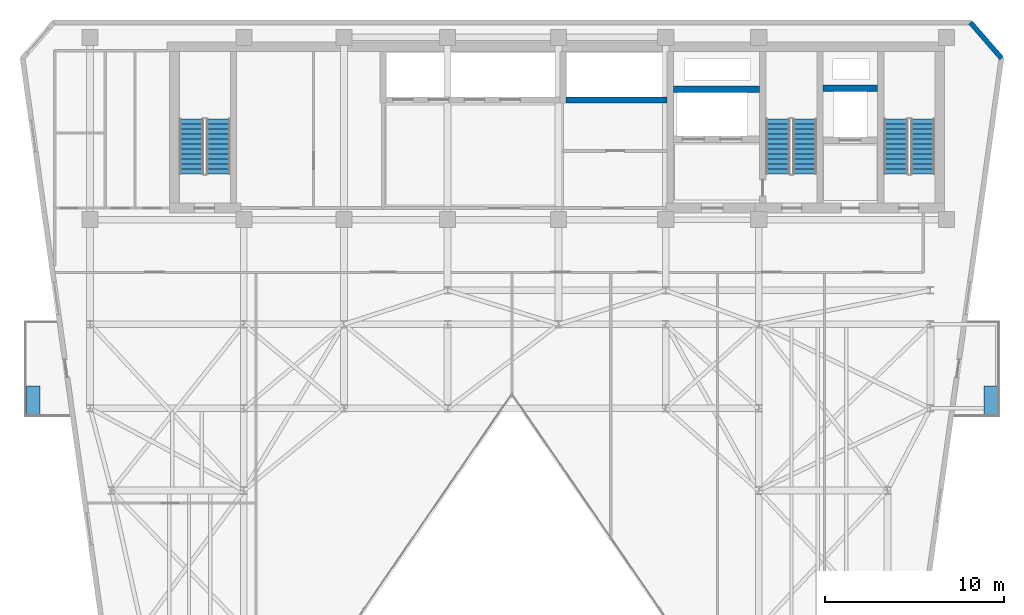
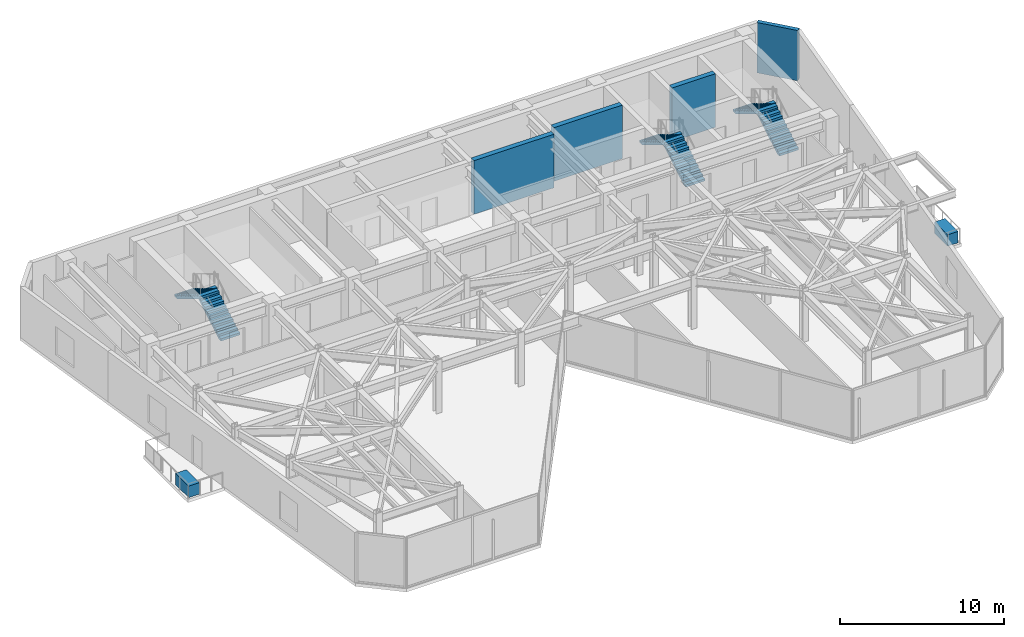
# One storey, part 18 of 21: 6 stair flights, 4 walls, 2 discrete accessories, 3 elements without a shape of their own.
"""IFC4 building model written with IfcOpenShell, lengths in metres."""

from ifc_helpers import new_model, si_unit, direction, frame, frame_2d, origin, origin_2d, place, context, subcontext, project, spatial, polyline, rectangle, outline, extrude, material, layer, layer_set, type_object, element, aggregate, save


model = new_model("IFC4")

# Units and contexts
model_context = context("Model", 3, precision=1e-05, world=origin(), true_north=direction((0.0, 1.0)))
body_context = subcontext(model_context, "Body", "Model", "MODEL_VIEW")
ifc_project = project(units=[si_unit("LENGTHUNIT", "METRE"), si_unit("AREAUNIT", "SQUARE_METRE"), si_unit("VOLUMEUNIT", "CUBIC_METRE"), si_unit("PLANEANGLEUNIT", "RADIAN"), si_unit("MASSUNIT", "GRAM", prefix="KILO")], contexts=[model_context])

# Site, building, storey
site_placement = place(None, origin())
site = spatial("IfcSite", under=ifc_project, at=site_placement, CompositionType="ELEMENT")
building_placement = place(site_placement, origin())
building = spatial("IfcBuilding", under=site, at=building_placement, Name="Kravanh Interchange Tower", CompositionType="ELEMENT")
storey_placement = place(building_placement, frame((0.0, 0.0, 176.5)))
storey = spatial("IfcBuildingStorey", under=building, at=storey_placement, Name="L42", CompositionType="ELEMENT", Elevation=176.5)

# Walls
ifc_material_1 = material(Name="Concrete C60/75", Category="concrete")
ifc_layer_1 = layer(ifc_material_1, 0.35009765625)
ifc_layer_set_1 = layer_set([ifc_layer_1], Name="Core Shear Wall Concrete C60/75 350mm")
wall_type_1 = type_object("IfcWallType", Name="Core Shear Wall Concrete C60/75 350mm", PredefinedType="SHEAR", material=ifc_layer_set_1)
wall_1_placement = place(storey_placement, frame((59.60009765625, 44.699951171875, 0.0), z_axis=(0.0, 0.0, 1.0), x_axis=(1.0, 0.0, 0.0)))
element("IfcWall", 1, at=wall_1_placement, inside=storey, type_object=wall_type_1, Name="L42 Service Lift Shaft North Wall", PredefinedType="SHEAR", context=body_context, shape_type="SweptSolid", body=[
    extrude(rectangle(XDim=3.0498046875, YDim=0.35009765625, at=frame_2d((1.52490234375, 0.0))), origin(), (0.0, 0.0, 1.0), 4.0),
])
wall_2_placement = place(storey_placement, frame((51.22509765625, 44.64990234375, 0.0), z_axis=(0.0, 0.0, 1.0), x_axis=(1.0, 0.0, 0.0)))
element("IfcWall", 2, at=wall_2_placement, inside=storey, type_object=wall_type_1, Name="L42 Fire Lift Shaft North Wall", PredefinedType="SHEAR", context=body_context, shape_type="SweptSolid", body=[
    extrude(rectangle(XDim=4.824951171875, YDim=0.35009765625, at=frame_2d((2.41259765625, 0.0))), origin(), (0.0, 0.0, 1.0), 4.0),
])
wall_3_placement = place(storey_placement, frame((45.22509765625, 44.050048828125, 0.0), z_axis=(0.0, 0.0, 1.0), x_axis=(1.0, 0.0, 0.0)))
element("IfcWall", 3, at=wall_3_placement, inside=storey, type_object=wall_type_1, Name="L42 High-Rise Lift Shaft South Wall", PredefinedType="SHEAR", context=body_context, shape_type="SweptSolid", body=[
    extrude(rectangle(XDim=5.64990234375, YDim=0.35009765625, at=frame_2d((2.824951171875, 0.0))), origin(), (0.0, 0.0, 1.0), 4.0),
])
ifc_material_2 = material(Name="Insulated Precast Concrete C40/50 with Bronze Cladding", Category="concrete")
ifc_layer_2 = layer(ifc_material_2, 0.280029296875)
ifc_layer_set_2 = layer_set([ifc_layer_2], Name="Exterior Insulated Concrete C40/50 Bronze Spandrel Wall 280mm")
wall_type_2 = type_object("IfcWallType", Name="Exterior Insulated Concrete C40/50 Bronze Spandrel Wall 280mm", PredefinedType="STANDARD", material=ifc_layer_set_2)
wall_4_placement = place(storey_placement, frame((67.84521484375, 48.3798828125, 0.0), z_axis=(0.0, 0.0, 1.0), x_axis=(0.656071351282, -0.754698868442, 0.0)))
element("IfcWall", 4, at=wall_4_placement, inside=storey, type_object=wall_type_2, Name="L42 Exterior Wall 5", PredefinedType="STANDARD", context=body_context, shape_type="SweptSolid", body=[
    extrude(rectangle(XDim=2.646240234375, YDim=0.280029296875, at=frame_2d((1.3232421875, 0.0))), origin(), (0.0, 0.0, 1.0), 3.7548828125),
])

# Stair, stair flights
ifc_material_3 = material(Name="Concrete C50/60", Category="concrete")
stair_type = type_object("IfcStairType", Name="Core Fire Exit Dogleg Stair Concrete C50/60", PredefinedType="HALF_TURN_STAIR", material=ifc_material_3)
stair_1_placement = place(storey_placement, origin())
stair_1 = element("IfcStair", 5, at=stair_1_placement, inside=storey, type_object=stair_type, Name="L42 Exit Stair ST1", PredefinedType="HALF_TURN_STAIR")
ifc_material_4 = material(Name="Precast Concrete C50/60", Category="concrete")
ifc_layer_3 = layer(ifc_material_4, 0.199951171875)
ifc_layer_set_3 = layer_set([ifc_layer_3], Name="Precast Concrete C50/60 Stair Flight 1350mm")
stair_flight_type = type_object("IfcStairFlightType", Name="Precast Concrete C50/60 Stair Flight 1350mm", PredefinedType="STRAIGHT", material=ifc_layer_set_3)
stair_flight_1_placement = place(storey_placement, frame((65.175048828125, 39.89990234375, 0.0), z_axis=(0.0, 0.0, 1.0), x_axis=(0.0, 1.0, 0.0)))
stair_flight_1 = element("IfcStairFlight", 6, at=stair_flight_1_placement, type_object=stair_flight_type, Name="ST1 flight 1", NumberOfRisers=12, NumberOfTreads=11, PredefinedType="STRAIGHT", RiserHeight=0.166666667, TreadLength=0.28, context=body_context, shape_type="SweptSolid", body=[
    extrude(outline(polyline([(0.0, 0.0), (0.0, 0.166748046875), (0.280029296875, 0.166748046875), (0.280029296875, 0.333251953125), (0.56005859375, 0.333251953125), (0.56005859375, 0.5), (0.840087890625, 0.5), (0.840087890625, 0.666748046875), (1.1201171875, 0.666748046875), (1.1201171875, 0.833251953125), (1.39990234375, 0.833251953125), (1.39990234375, 1.0), (1.679931640625, 1.0), (1.679931640625, 1.166748046875), (1.9599609375, 1.166748046875), (1.9599609375, 1.333251953125), (2.239990234375, 1.333251953125), (2.239990234375, 1.5), (2.52001953125, 1.5), (2.52001953125, 1.666748046875), (2.800048828125, 1.666748046875), (2.800048828125, 1.833251953125), (3.080078125, 1.833251953125), (3.080078125, 2.0), (3.080078125, 1.658935546875), (0.29296875, 0.0), (0.0, 0.0)])), frame((0.0, 0.675048828125, 0.0), z_axis=(0.0, -1.0, 0.0), x_axis=(1.0, 0.0, 0.0)), (0.0, 0.0, 1.0), 1.35009765625),
])
stair_flight_2_placement = place(storey_placement, frame((63.675048828125, 42.97998046875, 2.0), z_axis=(0.0, 0.0, 1.0), x_axis=(0.0, -1.0, 0.0)))
stair_flight_2 = element("IfcStairFlight", 7, at=stair_flight_2_placement, type_object=stair_flight_type, Name="ST1 flight 2", NumberOfRisers=12, NumberOfTreads=11, PredefinedType="STRAIGHT", RiserHeight=0.166666667, TreadLength=0.28, context=body_context, shape_type="SweptSolid", body=[
    extrude(outline(polyline([(0.0, 0.0), (0.0, 0.166748046875), (0.280029296875, 0.166748046875), (0.280029296875, 0.333251953125), (0.56005859375, 0.333251953125), (0.56005859375, 0.5), (0.840087890625, 0.5), (0.840087890625, 0.666748046875), (1.1201171875, 0.666748046875), (1.1201171875, 0.833251953125), (1.39990234375, 0.833251953125), (1.39990234375, 1.0), (1.679931640625, 1.0), (1.679931640625, 1.166748046875), (1.9599609375, 1.166748046875), (1.9599609375, 1.333251953125), (2.239990234375, 1.333251953125), (2.239990234375, 1.5), (2.52001953125, 1.5), (2.52001953125, 1.666748046875), (2.800048828125, 1.666748046875), (2.800048828125, 1.833251953125), (3.080078125, 1.833251953125), (3.080078125, 2.0), (3.080078125, 1.658935546875), (0.29296875, 0.0), (0.0, 0.0)])), frame((0.0, 0.675048828125, 0.0), z_axis=(0.0, -1.0, 0.0), x_axis=(1.0, 0.0, 0.0)), (0.0, 0.0, 1.0), 1.35009765625),
])
aggregate(stair_1, [stair_flight_1, stair_flight_2])

stair_2_placement = place(storey_placement, origin())
stair_2 = element("IfcStair", 8, at=stair_2_placement, inside=storey, type_object=stair_type, Name="L42 Exit Stair ST2", PredefinedType="HALF_TURN_STAIR")
stair_flight_3_placement = place(storey_placement, frame((58.574951171875, 39.89990234375, 0.0), z_axis=(0.0, 0.0, 1.0), x_axis=(0.0, 1.0, 0.0)))
stair_flight_3 = element("IfcStairFlight", 9, at=stair_flight_3_placement, type_object=stair_flight_type, Name="ST2 flight 1", NumberOfRisers=12, NumberOfTreads=11, PredefinedType="STRAIGHT", RiserHeight=0.166666667, TreadLength=0.28, context=body_context, shape_type="SweptSolid", body=[
    extrude(outline(polyline([(0.0, 0.0), (0.0, 0.166748046875), (0.280029296875, 0.166748046875), (0.280029296875, 0.333251953125), (0.56005859375, 0.333251953125), (0.56005859375, 0.5), (0.840087890625, 0.5), (0.840087890625, 0.666748046875), (1.1201171875, 0.666748046875), (1.1201171875, 0.833251953125), (1.39990234375, 0.833251953125), (1.39990234375, 1.0), (1.679931640625, 1.0), (1.679931640625, 1.166748046875), (1.9599609375, 1.166748046875), (1.9599609375, 1.333251953125), (2.239990234375, 1.333251953125), (2.239990234375, 1.5), (2.52001953125, 1.5), (2.52001953125, 1.666748046875), (2.800048828125, 1.666748046875), (2.800048828125, 1.833251953125), (3.080078125, 1.833251953125), (3.080078125, 2.0), (3.080078125, 1.658935546875), (0.29296875, 0.0), (0.0, 0.0)])), frame((0.0, 0.675048828125, 0.0), z_axis=(0.0, -1.0, 0.0), x_axis=(1.0, 0.0, 0.0)), (0.0, 0.0, 1.0), 1.35009765625),
])
stair_flight_4_placement = place(storey_placement, frame((57.074951171875, 42.97998046875, 2.0), z_axis=(0.0, 0.0, 1.0), x_axis=(0.0, -1.0, 0.0)))
stair_flight_4 = element("IfcStairFlight", 10, at=stair_flight_4_placement, type_object=stair_flight_type, Name="ST2 flight 2", NumberOfRisers=12, NumberOfTreads=11, PredefinedType="STRAIGHT", RiserHeight=0.166666667, TreadLength=0.28, context=body_context, shape_type="SweptSolid", body=[
    extrude(outline(polyline([(0.0, 0.0), (0.0, 0.166748046875), (0.280029296875, 0.166748046875), (0.280029296875, 0.333251953125), (0.56005859375, 0.333251953125), (0.56005859375, 0.5), (0.840087890625, 0.5), (0.840087890625, 0.666748046875), (1.1201171875, 0.666748046875), (1.1201171875, 0.833251953125), (1.39990234375, 0.833251953125), (1.39990234375, 1.0), (1.679931640625, 1.0), (1.679931640625, 1.166748046875), (1.9599609375, 1.166748046875), (1.9599609375, 1.333251953125), (2.239990234375, 1.333251953125), (2.239990234375, 1.5), (2.52001953125, 1.5), (2.52001953125, 1.666748046875), (2.800048828125, 1.666748046875), (2.800048828125, 1.833251953125), (3.080078125, 1.833251953125), (3.080078125, 2.0), (3.080078125, 1.658935546875), (0.29296875, 0.0), (0.0, 0.0)])), frame((0.0, 0.675048828125, 0.0), z_axis=(0.0, -1.0, 0.0), x_axis=(1.0, 0.0, 0.0)), (0.0, 0.0, 1.0), 1.35009765625),
])
aggregate(stair_2, [stair_flight_3, stair_flight_4])

stair_3_placement = place(storey_placement, origin())
stair_3 = element("IfcStair", 11, at=stair_3_placement, inside=storey, type_object=stair_type, Name="L42 Exit Stair ST3", PredefinedType="HALF_TURN_STAIR")
stair_flight_5_placement = place(storey_placement, frame((25.77490234375, 39.89990234375, 0.0), z_axis=(0.0, 0.0, 1.0), x_axis=(0.0, 1.0, 0.0)))
stair_flight_5 = element("IfcStairFlight", 12, at=stair_flight_5_placement, type_object=stair_flight_type, Name="ST3 flight 1", NumberOfRisers=12, NumberOfTreads=11, PredefinedType="STRAIGHT", RiserHeight=0.166666667, TreadLength=0.28, context=body_context, shape_type="SweptSolid", body=[
    extrude(outline(polyline([(0.0, 0.0), (0.0, 0.166748046875), (0.280029296875, 0.166748046875), (0.280029296875, 0.333251953125), (0.56005859375, 0.333251953125), (0.56005859375, 0.5), (0.840087890625, 0.5), (0.840087890625, 0.666748046875), (1.1201171875, 0.666748046875), (1.1201171875, 0.833251953125), (1.39990234375, 0.833251953125), (1.39990234375, 1.0), (1.679931640625, 1.0), (1.679931640625, 1.166748046875), (1.9599609375, 1.166748046875), (1.9599609375, 1.333251953125), (2.239990234375, 1.333251953125), (2.239990234375, 1.5), (2.52001953125, 1.5), (2.52001953125, 1.666748046875), (2.800048828125, 1.666748046875), (2.800048828125, 1.833251953125), (3.080078125, 1.833251953125), (3.080078125, 2.0), (3.080078125, 1.658935546875), (0.29296875, 0.0), (0.0, 0.0)])), frame((0.0, 0.675048828125, 0.0), z_axis=(0.0, -1.0, 0.0), x_axis=(1.0, 0.0, 0.0)), (0.0, 0.0, 1.0), 1.35009765625),
])
stair_flight_6_placement = place(storey_placement, frame((24.27490234375, 42.97998046875, 2.0), z_axis=(0.0, 0.0, 1.0), x_axis=(0.0, -1.0, 0.0)))
stair_flight_6 = element("IfcStairFlight", 13, at=stair_flight_6_placement, type_object=stair_flight_type, Name="ST3 flight 2", NumberOfRisers=12, NumberOfTreads=11, PredefinedType="STRAIGHT", RiserHeight=0.166666667, TreadLength=0.28, context=body_context, shape_type="SweptSolid", body=[
    extrude(outline(polyline([(0.0, 0.0), (0.0, 0.166748046875), (0.280029296875, 0.166748046875), (0.280029296875, 0.333251953125), (0.56005859375, 0.333251953125), (0.56005859375, 0.5), (0.840087890625, 0.5), (0.840087890625, 0.666748046875), (1.1201171875, 0.666748046875), (1.1201171875, 0.833251953125), (1.39990234375, 0.833251953125), (1.39990234375, 1.0), (1.679931640625, 1.0), (1.679931640625, 1.166748046875), (1.9599609375, 1.166748046875), (1.9599609375, 1.333251953125), (2.239990234375, 1.333251953125), (2.239990234375, 1.5), (2.52001953125, 1.5), (2.52001953125, 1.666748046875), (2.800048828125, 1.666748046875), (2.800048828125, 1.833251953125), (3.080078125, 1.833251953125), (3.080078125, 2.0), (3.080078125, 1.658935546875), (0.29296875, 0.0), (0.0, 0.0)])), frame((0.0, 0.675048828125, 0.0), z_axis=(0.0, -1.0, 0.0), x_axis=(1.0, 0.0, 0.0)), (0.0, 0.0, 1.0), 1.35009765625),
])
aggregate(stair_3, [stair_flight_5, stair_flight_6])

# Discrete accessories
ifc_material_5 = material(Name="Architectural GRC Concrete C40/50 with Root Barrier", Category="concrete")
discrete_accessory_type = type_object("IfcDiscreteAccessoryType", Name="Structural Balcony Tree Planter Box Concrete C40/50 1600x750x850", PredefinedType="USERDEFINED", material=ifc_material_5)
for number, where, z_axis, x_axis, name in (
    (14, (68.969970703125, 27.260009765625, 0.0), (0.0, 0.0, 1.0), (1.0, 0.0, 0.0), "L42 E Balcony TREE PLANTER"),
    (15, (15.429931640625, 27.260009765625, 0.0), (0.0, 0.0, 1.0), (1.0, 0.0, 0.0), "L42 W Balcony TREE PLANTER"),
):
    element("IfcDiscreteAccessory", number, at=place(storey_placement, frame(where, z_axis=z_axis, x_axis=x_axis)), inside=storey, type_object=discrete_accessory_type, Name=name, ObjectType="PLANTER", PredefinedType="USERDEFINED", context=body_context, shape_type="SweptSolid", body=[
        extrude(rectangle(XDim=0.75, YDim=1.60009765625, at=origin_2d()), origin(), (0.0, 0.0, 1.0), 0.85009765625),
    ])

save(model, "model.ifc")
